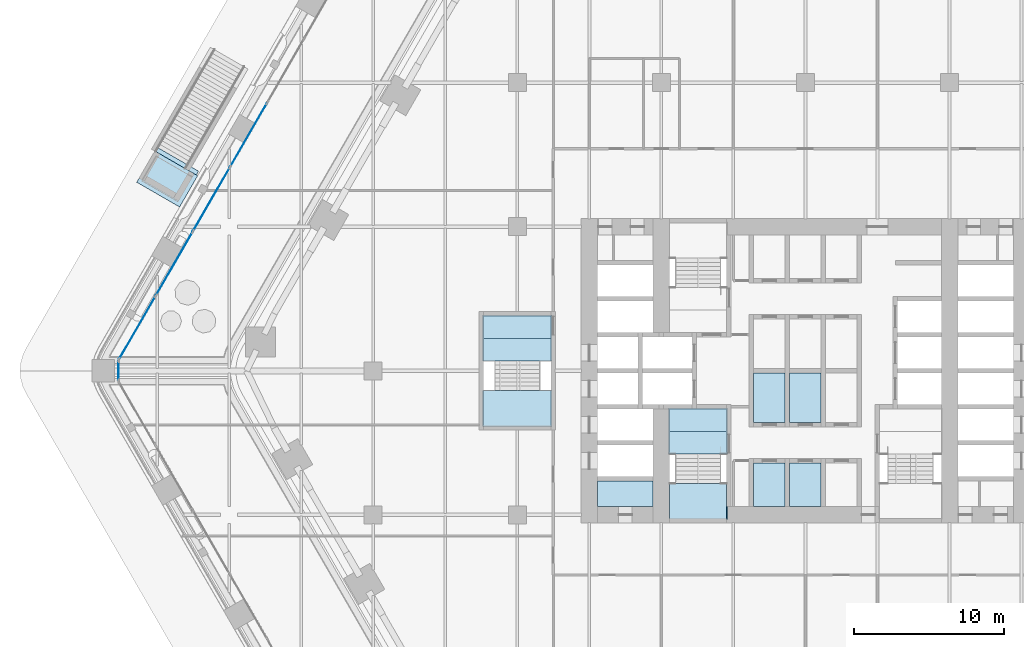
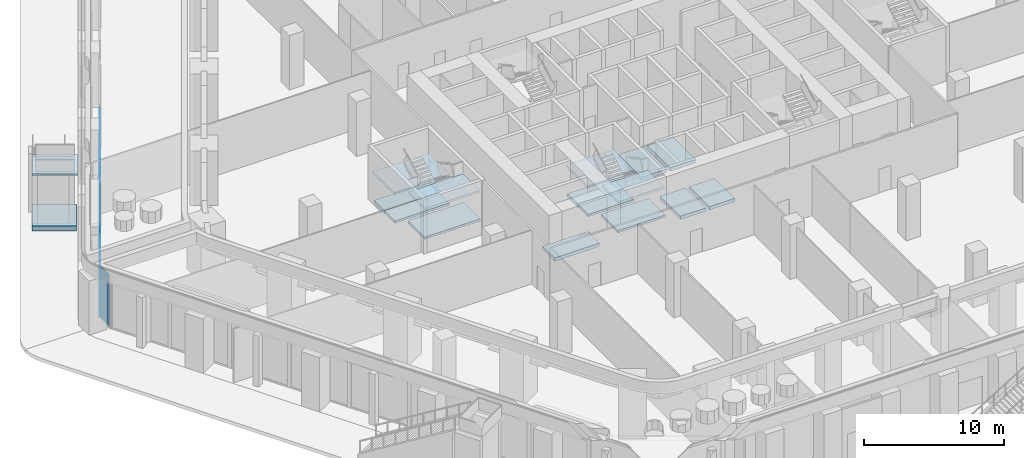
# One storey, part 13 of 34: 17 slabs, 5 plates, 5 elements without a shape of their own.
"""IFC4 building model written with IfcOpenShell, lengths in metres."""

from ifc_helpers import new_model, si_unit, direction, frame, origin, origin_2d, place, context, subcontext, project, spatial, polyline, rectangle, outline, extrude, material, layer, layer_set, type_object, element, aggregate, save


model = new_model("IFC4")

# Units and contexts
model_context = context("Model", 3, precision=1e-05, world=origin(), true_north=direction((0.0, 1.0)))
body_context = subcontext(model_context, "Body", "Model", "MODEL_VIEW")
ifc_project = project(units=[si_unit("LENGTHUNIT", "METRE"), si_unit("AREAUNIT", "SQUARE_METRE"), si_unit("VOLUMEUNIT", "CUBIC_METRE"), si_unit("PLANEANGLEUNIT", "RADIAN"), si_unit("MASSUNIT", "GRAM", prefix="KILO")], contexts=[model_context])

# Site, building, storey
site_placement = place(None, origin())
site = spatial("IfcSite", under=ifc_project, at=site_placement, CompositionType="ELEMENT")
building_placement = place(site_placement, origin())
building = spatial("IfcBuilding", under=site, at=building_placement, Name="Kolab Exchange Tower", CompositionType="ELEMENT")
storey_placement = place(building_placement, frame((0.0, 0.0, 12.39990234375)))
storey = spatial("IfcBuildingStorey", under=building, at=storey_placement, Name="L02", CompositionType="ELEMENT", Elevation=12.39990234375)

# Slabs
ifc_material_1 = material(Name="Concrete C35/45", Category="concrete")
ifc_layer_1 = layer(ifc_material_1, 0.300048828125)
ifc_layer_set_1 = layer_set([ifc_layer_1], Name="Concrete C35/45")
slab_type_1 = type_object("IfcSlabType", Name="FLOOR SLAB 300", PredefinedType="FLOOR", material=ifc_layer_set_1)
slab_1_placement = place(storey_placement, frame((0.0, 0.0, -0.2998046875)))
element("IfcSlab", 1, at=slab_1_placement, inside=storey, type_object=slab_type_1, Name="slab/L02/floor/2", PredefinedType="FLOOR", context=body_context, shape_type="SweptSolid", body=[
    extrude(outline(polyline([(-1.35009765625, -0.14990234375), (-3.449951171875, -0.14990234375), (-3.449951171875, -3.449951171875), (-1.35009765625, -3.449951171875), (-1.35009765625, -0.14990234375)])), origin(), (0.0, 0.0, 1.0), 0.2998046875),
])
slab_2_placement = place(storey_placement, frame((0.0, 0.0, -0.2998046875)))
element("IfcSlab", 2, at=slab_2_placement, inside=storey, type_object=slab_type_1, Name="slab/L02/floor/4", PredefinedType="FLOOR", context=body_context, shape_type="SweptSolid", body=[
    extrude(outline(polyline([(-1.050048828125, -3.449951171875), (1.050048828125, -3.449951171875), (1.050048828125, -0.14990234375), (-1.050048828125, -0.14990234375), (-1.050048828125, -3.449951171875)])), origin(), (0.0, 0.0, 1.0), 0.2998046875),
])
slab_3_placement = place(storey_placement, frame((0.0, 0.0, -0.2998046875)))
element("IfcSlab", 3, at=slab_3_placement, inside=storey, type_object=slab_type_1, Name="slab/L02/floor/8", PredefinedType="FLOOR", context=body_context, shape_type="SweptSolid", body=[
    extrude(outline(polyline([(-21.449951171875, 3.64990234375), (-21.449951171875, 2.14990234375), (-16.949951171875, 2.14990234375), (-16.949951171875, 3.64990234375), (-21.449951171875, 3.64990234375)])), origin(), (0.0, 0.0, 1.0), 0.2998046875),
])
slab_4_placement = place(storey_placement, frame((0.0, 0.0, -0.2998046875)))
element("IfcSlab", 4, at=slab_4_placement, inside=storey, type_object=slab_type_1, Name="slab/L02/floor/10", PredefinedType="FLOOR", context=body_context, shape_type="SweptSolid", body=[
    extrude(outline(polyline([(-10.14990234375, -9.050048828125), (-10.14990234375, -7.35009765625), (-13.85009765625, -7.35009765625), (-13.85009765625, -9.050048828125), (-10.14990234375, -9.050048828125)])), origin(), (0.0, 0.0, 1.0), 0.2998046875),
])
slab_5_placement = place(storey_placement, frame((0.0, 0.0, -0.2998046875)))
element("IfcSlab", 5, at=slab_5_placement, inside=storey, type_object=slab_type_1, Name="slab/L02/floor/15", PredefinedType="FLOOR", context=body_context, shape_type="SweptSolid", body=[
    extrude(outline(polyline([(-1.050048828125, -6.14990234375), (-1.050048828125, -9.050048828125), (1.050048828125, -9.050048828125), (1.050048828125, -6.14990234375), (-1.050048828125, -6.14990234375)])), origin(), (0.0, 0.0, 1.0), 0.2998046875),
])
slab_6_placement = place(storey_placement, frame((0.0, 0.0, -0.2998046875)))
element("IfcSlab", 6, at=slab_6_placement, inside=storey, type_object=slab_type_1, Name="slab/L02/floor/17", PredefinedType="FLOOR", context=body_context, shape_type="SweptSolid", body=[
    extrude(outline(polyline([(-1.35009765625, -6.14990234375), (-3.449951171875, -6.14990234375), (-3.449951171875, -9.050048828125), (-1.35009765625, -9.050048828125), (-1.35009765625, -6.14990234375)])), origin(), (0.0, 0.0, 1.0), 0.2998046875),
])
slab_7_placement = place(storey_placement, frame((0.0, 0.0, -0.2998046875)))
element("IfcSlab", 7, at=slab_7_placement, inside=storey, type_object=slab_type_1, Name="slab/L02/floor/21", PredefinedType="FLOOR", context=body_context, shape_type="SweptSolid", body=[
    extrude(outline(polyline([(-9.050048828125, -4.050048828125), (-5.25, -4.050048828125), (-5.25, -2.550048828125), (-7.25, -2.550048828125), (-7.550048828125, -2.550048828125), (-9.050048828125, -2.550048828125), (-9.050048828125, -4.050048828125)])), origin(), (0.0, 0.0, 1.0), 0.2998046875),
])

# Stair, slab
ifc_material_2 = material(Name="Concrete C40/50", Category="concrete")
stair_type_1 = type_object("IfcStairType", Name="GARDEN STAIR RUN A", PredefinedType="STRAIGHT_RUN_STAIR", material=ifc_material_2)
stair_1_placement = place(storey_placement, origin())
stair_1 = element("IfcStair", 8, at=stair_1_placement, inside=storey, type_object=stair_type_1, Name="Garden stair GS6 run A", PredefinedType="STRAIGHT_RUN_STAIR")
ifc_layer_2 = layer(ifc_material_2, 0.199951171875)
ifc_layer_set_2 = layer_set([ifc_layer_2], Name="Concrete C40/50")
slab_type_2 = type_object("IfcSlabType", Name="GARDEN STAIR LANDING 200", PredefinedType="LANDING", material=ifc_layer_set_2)
slab_8_placement = place(storey_placement, frame((0.0, 0.0, 4.800048828125)))
slab_8 = element("IfcSlab", 9, at=slab_8_placement, type_object=slab_type_2, Name="GS6 landing 1", PredefinedType="LANDING", context=body_context, shape_type="SweptSolid", body=[
    extrude(outline(polyline([(-41.699951171875, 10.911865234375), (-40.49755859375, 12.99462890625), (-43.35546875, 14.644775390625), (-44.557861328125, 12.56201171875), (-41.699951171875, 10.911865234375)])), origin(), (0.0, 0.0, 1.0), 0.199951171875),
])
aggregate(stair_1, [slab_8])

# Curtain wall, plates
ifc_material_3 = material(Name="Aluminium EN AW-6063 T6", Category="aluminium")
curtain_wall_type = type_object("IfcCurtainWallType", Name="PODIUM STRUCTURAL GLAZING CURTAIN WALL", PredefinedType="NOTDEFINED", material=ifc_material_3)
curtain_wall_1_placement = place(storey_placement, origin())
curtain_wall_1 = element("IfcCurtainWall", 10, at=curtain_wall_1_placement, inside=storey, type_object=curtain_wall_type, Name="cw/L02/F6-1", PredefinedType="NOTDEFINED")
ifc_material_4 = material(Name="Clear insulated glazing unit", Category="glass")
ifc_layer_3 = layer(ifc_material_4, 0.035888671875)
ifc_layer_set_3 = layer_set([ifc_layer_3], Name="Clear insulated glazing unit")
plate_type = type_object("IfcPlateType", Name="PODIUM STRUCTURAL GLAZING GLASS PANEL 36", PredefinedType="CURTAIN_PANEL", material=ifc_layer_set_3)
plate_1_placement = place(storey_placement, frame((-44.5185546875, 2.8701171875, 0.080078125), z_axis=(0.0, 0.0, 1.0), x_axis=(0.500000000469, 0.866025403514, 0.0)))
plate_1 = element("IfcPlate", 11, at=plate_1_placement, type_object=plate_type, Name="CW5 panel 1.1", PredefinedType="CURTAIN_PANEL", context=body_context, shape_type="SweptSolid", body=[
    extrude(rectangle(XDim=4.828369140625, YDim=0.035888671875, at=origin_2d()), origin(), (0.0, 0.0, 1.0), 4.5400390625),
])
plate_2_placement = place(storey_placement, frame((-42.054443359375, 7.13818359375, 0.080078125), z_axis=(0.0, 0.0, 1.0), x_axis=(0.500000000469, 0.866025403514, 0.0)))
plate_2 = element("IfcPlate", 12, at=plate_2_placement, type_object=plate_type, Name="CW5 panel 2.1", PredefinedType="CURTAIN_PANEL", context=body_context, shape_type="SweptSolid", body=[
    extrude(rectangle(XDim=4.868408203125, YDim=0.035888671875, at=origin_2d()), origin(), (0.0, 0.0, 1.0), 4.5400390625),
])
plate_3_placement = place(storey_placement, frame((-39.580078125, 11.423583984375, 0.080078125), z_axis=(0.0, 0.0, 1.0), x_axis=(0.500000000469, 0.866025403514, 0.0)))
plate_3 = element("IfcPlate", 13, at=plate_3_placement, type_object=plate_type, Name="CW5 panel 3.1", PredefinedType="CURTAIN_PANEL", context=body_context, shape_type="SweptSolid", body=[
    extrude(rectangle(XDim=4.868408203125, YDim=0.035888671875, at=origin_2d()), origin(), (0.0, 0.0, 1.0), 4.5400390625),
])
plate_4_placement = place(storey_placement, frame((-37.10595703125, 15.709228515625, 0.080078125), z_axis=(0.0, 0.0, 1.0), x_axis=(0.500000000469, 0.866025403514, 0.0)))
plate_4 = element("IfcPlate", 14, at=plate_4_placement, type_object=plate_type, Name="CW5 panel 4.1", PredefinedType="CURTAIN_PANEL", context=body_context, shape_type="SweptSolid", body=[
    extrude(rectangle(XDim=4.868408203125, YDim=0.035888671875, at=origin_2d()), origin(), (0.0, 0.0, 1.0), 4.5400390625),
])
aggregate(curtain_wall_1, [plate_1, plate_2, plate_3, plate_4])

# Curtain wall, plate
curtain_wall_2_placement = place(storey_placement, origin())
curtain_wall_2 = element("IfcCurtainWall", 15, at=curtain_wall_2_placement, inside=storey, type_object=curtain_wall_type, Name="cw/L02/F5F6-corner", PredefinedType="NOTDEFINED")
plate_5_placement = place(storey_placement, frame((-45.765625, 0.0, 0.080078125), z_axis=(0.0, 0.0, 1.0), x_axis=(0.0, 1.0, 0.0)))
plate_5 = element("IfcPlate", 16, at=plate_5_placement, type_object=plate_type, Name="CW5 panel 1.1", PredefinedType="CURTAIN_PANEL", context=body_context, shape_type="SweptSolid", body=[
    extrude(rectangle(XDim=1.260009765625, YDim=0.035888671875, at=origin_2d()), origin(), (0.0, 0.0, 1.0), 4.5400390625),
])
aggregate(curtain_wall_2, [plate_5])

# Stair, slabs
ifc_material_5 = material(Name="Concrete C50/60", Category="concrete")
stair_type_2 = type_object("IfcStairType", Name="STAIR ST3 RISER 156.2", PredefinedType="DOUBLE_RETURN_STAIR", material=ifc_material_5)
stair_2_placement = place(storey_placement, origin())
stair_2 = element("IfcStair", 17, at=stair_2_placement, inside=storey, type_object=stair_type_2, Name="Stair 3", PredefinedType="DOUBLE_RETURN_STAIR")
ifc_layer_4 = layer(ifc_material_5, 0.199951171875)
ifc_layer_set_4 = layer_set([ifc_layer_4], Name="Concrete C50/60")
slab_type_3 = type_object("IfcSlabType", Name="STAIR LANDING 200", PredefinedType="LANDING", material=ifc_layer_set_4)
slab_9_placement = place(storey_placement, frame((0.0, 0.0, -0.199951171875)))
slab_9 = element("IfcSlab", 18, at=slab_9_placement, type_object=slab_type_3, Name="ST3 landing 1", PredefinedType="LANDING", context=body_context, shape_type="SweptSolid", body=[
    extrude(outline(polyline([(-9.050048828125, -5.550048828125), (-5.25, -5.550048828125), (-5.25, -4.050048828125), (-9.050048828125, -4.050048828125), (-9.050048828125, -5.550048828125)])), origin(), (0.0, 0.0, 1.0), 0.199951171875),
])
slab_10_placement = place(storey_placement, frame((0.0, 0.0, 1.050048828125)))
slab_10 = element("IfcSlab", 19, at=slab_10_placement, type_object=slab_type_3, Name="ST3 landing 2", PredefinedType="LANDING", context=body_context, shape_type="SweptSolid", body=[
    extrude(outline(polyline([(-9.110107421875, -9.909912109375), (-5.18994140625, -9.909912109375), (-5.18994140625, -7.510009765625), (-9.110107421875, -7.510009765625), (-9.110107421875, -9.909912109375)])), origin(), (0.0, 0.0, 1.0), 0.199951171875),
])
slab_11_placement = place(storey_placement, frame((0.0, 0.0, 2.300048828125)))
slab_11 = element("IfcSlab", 20, at=slab_11_placement, type_object=slab_type_3, Name="ST3 landing 3", PredefinedType="LANDING", context=body_context, shape_type="SweptSolid", body=[
    extrude(outline(polyline([(-9.110107421875, -5.550048828125), (-5.18994140625, -5.550048828125), (-5.18994140625, -2.489990234375), (-9.110107421875, -2.489990234375), (-9.110107421875, -5.550048828125)])), origin(), (0.0, 0.0, 1.0), 0.199951171875),
])
slab_12_placement = place(storey_placement, frame((0.0, 0.0, 3.550048828125)))
slab_12 = element("IfcSlab", 21, at=slab_12_placement, type_object=slab_type_3, Name="ST3 landing 4", PredefinedType="LANDING", context=body_context, shape_type="SweptSolid", body=[
    extrude(outline(polyline([(-9.050048828125, -9.909912109375), (-5.25, -9.909912109375), (-5.25, -7.510009765625), (-9.050048828125, -7.510009765625), (-9.050048828125, -9.909912109375)])), origin(), (0.0, 0.0, 1.0), 0.199951171875),
])
aggregate(stair_2, [slab_9, slab_10, slab_11, slab_12])

stair_type_3 = type_object("IfcStairType", Name="STAIR ST5 RISER 156.2", PredefinedType="DOUBLE_RETURN_STAIR", material=ifc_material_5)
stair_3_placement = place(storey_placement, origin())
stair_3 = element("IfcStair", 22, at=stair_3_placement, inside=storey, type_object=stair_type_3, Name="Stair 5", PredefinedType="DOUBLE_RETURN_STAIR")
slab_13_placement = place(storey_placement, frame((0.0, 0.0, -0.199951171875)))
slab_13 = element("IfcSlab", 23, at=slab_13_placement, type_object=slab_type_3, Name="ST5 landing 1", PredefinedType="LANDING", context=body_context, shape_type="SweptSolid", body=[
    extrude(outline(polyline([(-21.449951171875, 0.64990234375), (-16.949951171875, 0.64990234375), (-16.949951171875, 2.14990234375), (-21.449951171875, 2.14990234375), (-21.449951171875, 0.64990234375)])), origin(), (0.0, 0.0, 1.0), 0.199951171875),
])
slab_14_placement = place(storey_placement, frame((0.0, 0.0, 1.050048828125)))
slab_14 = element("IfcSlab", 24, at=slab_14_placement, type_object=slab_type_3, Name="ST5 landing 2", PredefinedType="LANDING", context=body_context, shape_type="SweptSolid", body=[
    extrude(outline(polyline([(-21.510009765625, -3.7099609375), (-16.889892578125, -3.7099609375), (-16.889892578125, -1.31005859375), (-21.510009765625, -1.31005859375), (-21.510009765625, -3.7099609375)])), origin(), (0.0, 0.0, 1.0), 0.199951171875),
])
slab_15_placement = place(storey_placement, frame((0.0, 0.0, 2.300048828125)))
slab_15 = element("IfcSlab", 25, at=slab_15_placement, type_object=slab_type_3, Name="ST5 landing 3", PredefinedType="LANDING", context=body_context, shape_type="SweptSolid", body=[
    extrude(outline(polyline([(-21.510009765625, 0.64990234375), (-16.889892578125, 0.64990234375), (-16.889892578125, 3.7099609375), (-21.510009765625, 3.7099609375), (-21.510009765625, 0.64990234375)])), origin(), (0.0, 0.0, 1.0), 0.199951171875),
])
slab_16_placement = place(storey_placement, frame((0.0, 0.0, 3.550048828125)))
slab_16 = element("IfcSlab", 26, at=slab_16_placement, type_object=slab_type_3, Name="ST5 landing 4", PredefinedType="LANDING", context=body_context, shape_type="SweptSolid", body=[
    extrude(outline(polyline([(-21.449951171875, -3.7099609375), (-16.949951171875, -3.7099609375), (-16.949951171875, -1.31005859375), (-21.449951171875, -1.31005859375), (-21.449951171875, -3.7099609375)])), origin(), (0.0, 0.0, 1.0), 0.199951171875),
])
aggregate(stair_3, [slab_13, slab_14, slab_15, slab_16])

# Slab
ifc_layer_5 = layer(ifc_material_2, 0.449951171875)
ifc_layer_set_5 = layer_set([ifc_layer_5], Name="Concrete C40/50")
slab_type_4 = type_object("IfcSlabType", Name="STAIR PIER PLINTH 450", PredefinedType="FLOOR", material=ifc_layer_set_5)
slab_17_placement = place(storey_placement, origin())
element("IfcSlab", 27, at=slab_17_placement, inside=storey, type_object=slab_type_4, Name="Stair pier plinth", PredefinedType="FLOOR", context=body_context, shape_type="SweptSolid", body=[
    extrude(outline(polyline([(-41.78662109375, 10.9619140625), (-40.4365234375, 13.30029296875), (-43.207763671875, 14.900146484375), (-44.557861328125, 12.56201171875), (-41.78662109375, 10.9619140625)])), origin(), (0.0, 0.0, 1.0), 0.4501953125),
])

save(model, "model.ifc")
